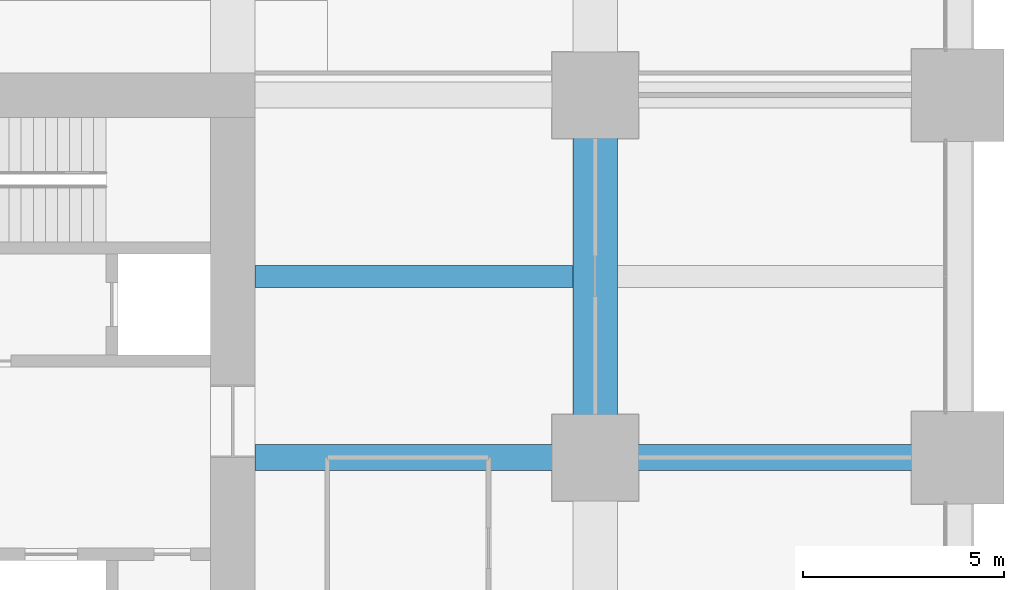
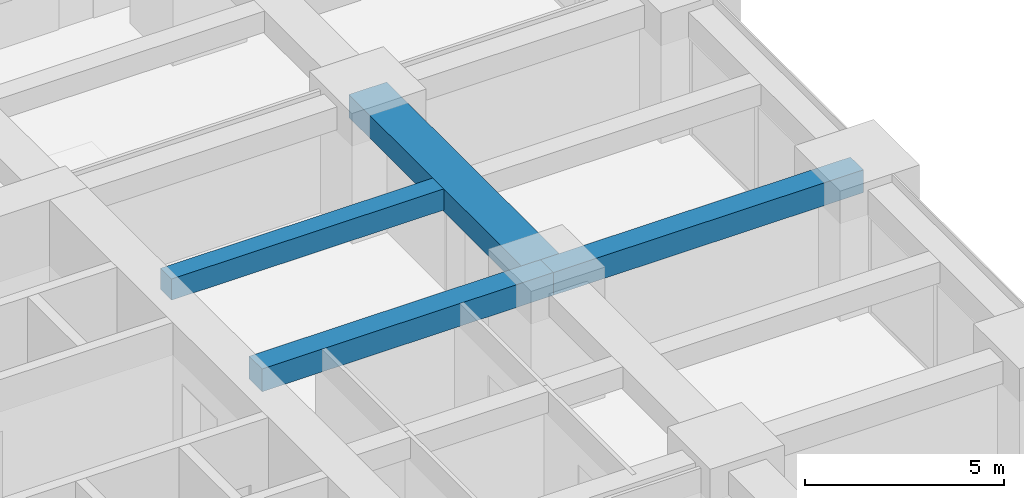
# One storey, part 21 of 44: 4 beams.
"""IFC4 building model written with IfcOpenShell, lengths in metres."""

from ifc_helpers import new_model, si_unit, direction, frame, origin, origin_2d, place, context, subcontext, project, spatial, rectangle, extrude, material, material_profile, profile_set, type_object, element, save


model = new_model("IFC4")

# Units and contexts
model_context = context("Model", 3, precision=1e-05, world=origin(), true_north=direction((0.0, 1.0)))
body_context = subcontext(model_context, "Body", "Model", "MODEL_VIEW")
ifc_project = project(units=[si_unit("LENGTHUNIT", "METRE"), si_unit("AREAUNIT", "SQUARE_METRE"), si_unit("VOLUMEUNIT", "CUBIC_METRE"), si_unit("PLANEANGLEUNIT", "RADIAN"), si_unit("MASSUNIT", "GRAM", prefix="KILO")], contexts=[model_context])

# Site, building, storey
site_placement = place(None, origin())
site = spatial("IfcSite", under=ifc_project, at=site_placement, CompositionType="ELEMENT")
building_placement = place(site_placement, origin())
building = spatial("IfcBuilding", under=site, at=building_placement, Name="Zorevar Civic Tower", CompositionType="ELEMENT")
storey_placement = place(building_placement, frame((0.0, 0.0, 59.800048828125)))
storey = spatial("IfcBuildingStorey", under=building, at=storey_placement, Name="L14", CompositionType="ELEMENT", Elevation=59.800048828125)

# Beams
ifc_material_1 = material(Name="Concrete C50/60", Category="concrete")
ifc_material_profile_1 = material_profile(ifc_material_1, rectangle(XDim=1.10009765625, YDim=0.699951171875, at=origin_2d()), Name="RC 1100x700")
ifc_profile_set_1 = profile_set([ifc_material_profile_1], Name="Concrete C50/60")
beam_type_1 = type_object("IfcBeamType", Name="Beam RC 1100x700", PredefinedType="BEAM", material=ifc_profile_set_1)
beam_1_placement = place(storey_placement, frame((54.0, 27.0, 3.39990234375), z_axis=(0.0, 1.0, 0.0), x_axis=(-1.0, 0.0, 0.0)))
element("IfcBeam", 1, at=beam_1_placement, inside=storey, type_object=beam_type_1, Name="Girder L15", PredefinedType="BEAM", context=body_context, shape_type="SweptSolid", body=[
    extrude(rectangle(XDim=1.10009765625, YDim=0.699951171875, at=origin_2d()), origin(), (0.0, 0.0, 1.0), 9.0),
])
ifc_material_2 = material(Name="Concrete C50/60", Category="concrete")
ifc_material_profile_2 = material_profile(ifc_material_2, rectangle(XDim=0.550048828125, YDim=0.64990234375, at=origin_2d()), Name="RC 550x650")
ifc_profile_set_2 = profile_set([ifc_material_profile_2], Name="Concrete C50/60")
beam_type_2 = type_object("IfcBeamType", Name="Beam RC 550x650", PredefinedType="BEAM", material=ifc_profile_set_2)
beam_2_placement = place(storey_placement, frame((45.550048828125, 31.5, 3.425048828125), z_axis=(1.0, 0.0, 0.0), x_axis=(0.0, 1.0, 0.0)))
element("IfcBeam", 2, at=beam_2_placement, inside=storey, type_object=beam_type_2, Name="Secondary beam L15", PredefinedType="BEAM", context=body_context, shape_type="SweptSolid", body=[
    extrude(rectangle(XDim=0.550048828125, YDim=0.64990234375, at=origin_2d()), origin(), (0.0, 0.0, 1.0), 7.89990234375),
])
ifc_material_3 = material(Name="Concrete C50/60", Category="concrete")
ifc_material_profile_3 = material_profile(ifc_material_3, rectangle(XDim=0.64990234375, YDim=0.699951171875, at=origin_2d()), Name="RC 650x700")
ifc_profile_set_3 = profile_set([ifc_material_profile_3], Name="Concrete C50/60")
beam_type_3 = type_object("IfcBeamType", Name="Beam RC 650x700", PredefinedType="BEAM", material=ifc_profile_set_3)
beam_3_placement = place(storey_placement, frame((45.550048828125, 27.0, 3.39990234375), z_axis=(1.0, 0.0, 0.0), x_axis=(0.0, 1.0, 0.0)))
element("IfcBeam", 3, at=beam_3_placement, inside=storey, type_object=beam_type_3, Name="Girder L15", PredefinedType="BEAM", context=body_context, shape_type="SweptSolid", body=[
    extrude(rectangle(XDim=0.64990234375, YDim=0.699951171875, at=origin_2d()), origin(), (0.0, 0.0, 1.0), 8.449951171875),
])
beam_4_placement = place(storey_placement, frame((54.0, 27.0, 3.39990234375), z_axis=(1.0, 0.0, 0.0), x_axis=(0.0, 1.0, 0.0)))
element("IfcBeam", 4, at=beam_4_placement, inside=storey, type_object=beam_type_3, Name="Girder L15", PredefinedType="BEAM", context=body_context, shape_type="SweptSolid", body=[
    extrude(rectangle(XDim=0.64990234375, YDim=0.699951171875, at=origin_2d()), origin(), (0.0, 0.0, 1.0), 9.0),
])

save(model, "model.ifc")
